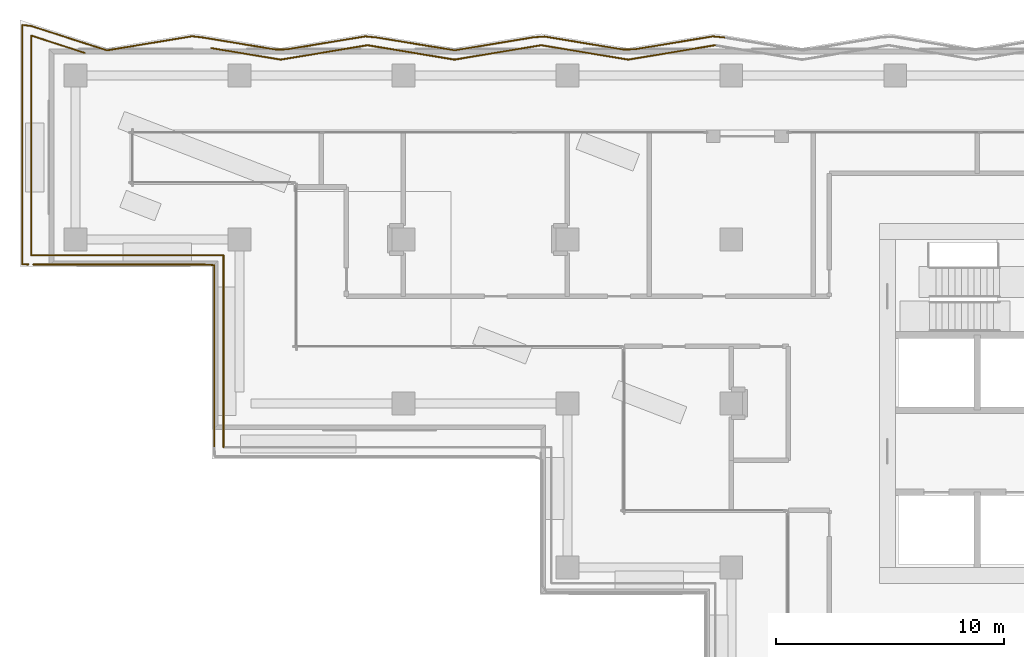
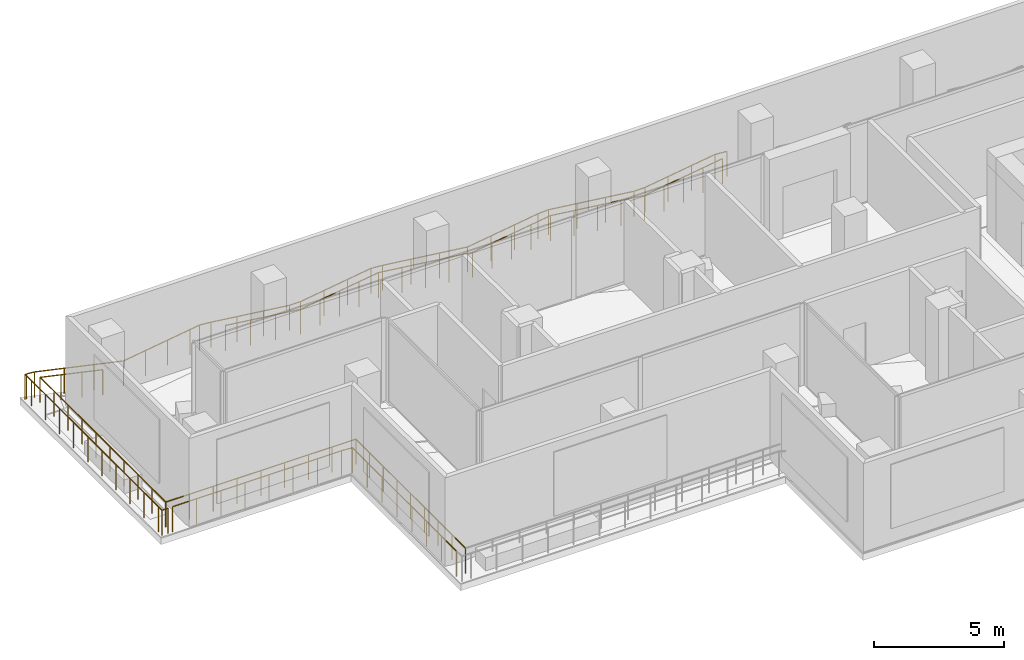
# One storey, part 18 of 23: 33 railings.
"""IFC4 building model written with IfcOpenShell, lengths in metres."""

from ifc_helpers import new_model, si_unit, direction, frame, origin, origin_2d, place, context, subcontext, project, spatial, circle, extrude, material, type_object, element, save


model = new_model("IFC4")

# Units and contexts
model_context = context("Model", 3, precision=1e-05, world=origin(), true_north=direction((0.0, 1.0)))
body_context = subcontext(model_context, "Body", "Model", "MODEL_VIEW")
ifc_project = project(units=[si_unit("LENGTHUNIT", "METRE"), si_unit("AREAUNIT", "SQUARE_METRE"), si_unit("VOLUMEUNIT", "CUBIC_METRE"), si_unit("PLANEANGLEUNIT", "RADIAN"), si_unit("MASSUNIT", "GRAM", prefix="KILO")], contexts=[model_context])

# Site, building, storey
site_placement = place(None, origin())
site = spatial("IfcSite", under=ifc_project, at=site_placement, CompositionType="ELEMENT")
building_placement = place(site_placement, origin())
building = spatial("IfcBuilding", under=site, at=building_placement, Name="Windrow Commons", CompositionType="ELEMENT")
storey_placement = place(building_placement, frame((0.0, 0.0, 122.0)))
storey = spatial("IfcBuildingStorey", under=building, at=storey_placement, Name="L33", CompositionType="ELEMENT", Elevation=122.0)

# Railings
ifc_material = material(Name="Stainless steel S316 balustrade with toughened glass infill", Category="steel")
railing_type = type_object("IfcRailingType", Name="Terrace guard 1200 podium", PredefinedType="BALUSTRADE", material=ifc_material)
railing_1_placement = place(storey_placement, frame((28.1, 55.667, 0.05)))
element("IfcRailing", 1, at=railing_1_placement, inside=storey, type_object=railing_type, Name="Guard TR-L33-1.E16", PredefinedType="BALUSTRADE", context=body_context, shape_type="SweptSolid", body=[
    extrude(circle(Radius=0.025, at=origin_2d()), frame((0.0, 0.0, 1.175), z_axis=(0.0, 1.0, 0.0), x_axis=(-1.0, 0.0, 0.0)), (0.0, 0.0, 1.0), 8.433),
    extrude(circle(Radius=0.02, at=origin_2d()), origin(), (0.0, 0.0, 1.0), 1.15),
    extrude(circle(Radius=0.02, at=origin_2d()), frame((0.0, 1.0541, 0.0)), (0.0, 0.0, 1.0), 1.15),
    extrude(circle(Radius=0.02, at=origin_2d()), frame((0.0, 2.1082, 0.0)), (0.0, 0.0, 1.0), 1.15),
    extrude(circle(Radius=0.02, at=origin_2d()), frame((0.0, 3.1624, 0.0)), (0.0, 0.0, 1.0), 1.15),
    extrude(circle(Radius=0.02, at=origin_2d()), frame((0.0, 4.2165, 0.0)), (0.0, 0.0, 1.0), 1.15),
    extrude(circle(Radius=0.02, at=origin_2d()), frame((0.0, 5.2706, 0.0)), (0.0, 0.0, 1.0), 1.15),
    extrude(circle(Radius=0.02, at=origin_2d()), frame((0.0, 6.3247, 0.0)), (0.0, 0.0, 1.0), 1.15),
    extrude(circle(Radius=0.02, at=origin_2d()), frame((0.0, 7.3789, 0.0)), (0.0, 0.0, 1.0), 1.15),
    extrude(circle(Radius=0.02, at=origin_2d()), frame((0.0, 8.433, 0.0)), (0.0, 0.0, 1.0), 1.15),
])
railing_2_placement = place(storey_placement, frame((28.1, 64.1, 0.05)))
element("IfcRailing", 2, at=railing_2_placement, inside=storey, type_object=railing_type, Name="Guard TR-L33-1.E17", PredefinedType="BALUSTRADE", context=body_context, shape_type="SweptSolid", body=[
    extrude(circle(Radius=0.025, at=origin_2d()), frame((0.0, 0.0, 1.175), z_axis=(-1.0, 0.0, 0.0), x_axis=(0.0, -1.0, 0.0)), (0.0, 0.0, 1.0), 8.433),
    extrude(circle(Radius=0.02, at=origin_2d()), origin(), (0.0, 0.0, 1.0), 1.15),
    extrude(circle(Radius=0.02, at=origin_2d()), frame((-1.0541, 0.0, 0.0)), (0.0, 0.0, 1.0), 1.15),
    extrude(circle(Radius=0.02, at=origin_2d()), frame((-2.1082, 0.0, 0.0)), (0.0, 0.0, 1.0), 1.15),
    extrude(circle(Radius=0.02, at=origin_2d()), frame((-3.1624, 0.0, 0.0)), (0.0, 0.0, 1.0), 1.15),
    extrude(circle(Radius=0.02, at=origin_2d()), frame((-4.2165, 0.0, 0.0)), (0.0, 0.0, 1.0), 1.15),
    extrude(circle(Radius=0.02, at=origin_2d()), frame((-5.2706, 0.0, 0.0)), (0.0, 0.0, 1.0), 1.15),
    extrude(circle(Radius=0.02, at=origin_2d()), frame((-6.3247, 0.0, 0.0)), (0.0, 0.0, 1.0), 1.15),
    extrude(circle(Radius=0.02, at=origin_2d()), frame((-7.3789, 0.0, 0.0)), (0.0, 0.0, 1.0), 1.15),
    extrude(circle(Radius=0.02, at=origin_2d()), frame((-8.433, 0.0, 0.0)), (0.0, 0.0, 1.0), 1.15),
])
railing_3_placement = place(storey_placement, frame((19.667, 64.1, 0.05)))
element("IfcRailing", 3, at=railing_3_placement, inside=storey, type_object=railing_type, Name="Guard TR-L33-1.E18", PredefinedType="BALUSTRADE", context=body_context, shape_type="SweptSolid", body=[
    extrude(circle(Radius=0.025, at=origin_2d()), frame((0.0, 0.0, 1.175), z_axis=(0.0, 1.0, 0.0), x_axis=(-1.0, 0.0, 0.0)), (0.0, 0.0, 1.0), 9.6459),
    extrude(circle(Radius=0.02, at=origin_2d()), origin(), (0.0, 0.0, 1.0), 1.15),
    extrude(circle(Radius=0.02, at=origin_2d()), frame((0.0, 1.0718, 0.0)), (0.0, 0.0, 1.0), 1.15),
    extrude(circle(Radius=0.02, at=origin_2d()), frame((0.0, 2.1435, 0.0)), (0.0, 0.0, 1.0), 1.15),
    extrude(circle(Radius=0.02, at=origin_2d()), frame((0.0, 3.2153, 0.0)), (0.0, 0.0, 1.0), 1.15),
    extrude(circle(Radius=0.02, at=origin_2d()), frame((0.0, 4.2871, 0.0)), (0.0, 0.0, 1.0), 1.15),
    extrude(circle(Radius=0.02, at=origin_2d()), frame((0.0, 5.3588, 0.0)), (0.0, 0.0, 1.0), 1.15),
    extrude(circle(Radius=0.02, at=origin_2d()), frame((0.0, 6.4306, 0.0)), (0.0, 0.0, 1.0), 1.15),
    extrude(circle(Radius=0.02, at=origin_2d()), frame((0.0, 7.5024, 0.0)), (0.0, 0.0, 1.0), 1.15),
    extrude(circle(Radius=0.02, at=origin_2d()), frame((0.0, 8.5741, 0.0)), (0.0, 0.0, 1.0), 1.15),
    extrude(circle(Radius=0.02, at=origin_2d()), frame((0.0, 9.6459, 0.0)), (0.0, 0.0, 1.0), 1.15),
])
railing_4_placement = place(storey_placement, frame((19.667, 73.7459, 0.05)))
element("IfcRailing", 4, at=railing_4_placement, inside=storey, type_object=railing_type, Name="Guard TR-L33-1.E19", PredefinedType="BALUSTRADE", context=body_context, shape_type="SweptSolid", body=[
    extrude(circle(Radius=0.025, at=origin_2d()), frame((0.0, 0.0, 1.175), z_axis=(0.9515331708, -0.3075461345, 0.0), x_axis=(0.3075461345, 0.9515331708, 0.0)), (0.0, 0.0, 1.0), 2.4572),
    extrude(circle(Radius=0.02, at=origin_2d()), origin(), (0.0, 0.0, 1.0), 1.15),
    extrude(circle(Radius=0.02, at=origin_2d()), frame((0.7794, -0.2519, 0.0)), (0.0, 0.0, 1.0), 1.15),
    extrude(circle(Radius=0.02, at=origin_2d()), frame((1.5587, -0.5038, 0.0)), (0.0, 0.0, 1.0), 1.15),
    extrude(circle(Radius=0.02, at=origin_2d()), frame((2.3381, -0.7557, 0.0)), (0.0, 0.0, 1.0), 1.15),
])
railing_5_placement = place(storey_placement, frame((27.5679, 73.1982, 0.05)))
element("IfcRailing", 5, at=railing_5_placement, inside=storey, type_object=railing_type, Name="Guard TR-L33-1.E20", PredefinedType="BALUSTRADE", context=body_context, shape_type="SweptSolid", body=[
    extrude(circle(Radius=0.025, at=origin_2d()), frame((0.0, 0.0, 1.175), z_axis=(0.9865119349, -0.1636893468, 0.0), x_axis=(0.1636893468, 0.9865119349, 0.0)), (0.0, 0.0, 1.0), 3.0851),
    extrude(circle(Radius=0.02, at=origin_2d()), origin(), (0.0, 0.0, 1.0), 1.15),
    extrude(circle(Radius=0.02, at=origin_2d()), frame((1.0145, -0.1683, 0.0)), (0.0, 0.0, 1.0), 1.15),
    extrude(circle(Radius=0.02, at=origin_2d()), frame((2.029, -0.3367, 0.0)), (0.0, 0.0, 1.0), 1.15),
    extrude(circle(Radius=0.02, at=origin_2d()), frame((3.0435, -0.505, 0.0)), (0.0, 0.0, 1.0), 1.15),
])
railing_6_placement = place(storey_placement, frame((30.6114, 72.6932, 0.05)))
element("IfcRailing", 6, at=railing_6_placement, inside=storey, type_object=railing_type, Name="Guard TR-L33-1.E21", PredefinedType="BALUSTRADE", context=body_context, shape_type="SweptSolid", body=[
    extrude(circle(Radius=0.025, at=origin_2d()), frame((0.0, 0.0, 1.175), z_axis=(0.9865103981, 0.1636986085, 0.0), x_axis=(-0.1636986085, 0.9865103981, 0.0)), (0.0, 0.0, 1.0), 3.8669),
    extrude(circle(Radius=0.02, at=origin_2d()), origin(), (0.0, 0.0, 1.0), 1.15),
    extrude(circle(Radius=0.02, at=origin_2d()), frame((0.9537, 0.1582, 0.0)), (0.0, 0.0, 1.0), 1.15),
    extrude(circle(Radius=0.02, at=origin_2d()), frame((1.9073, 0.3165, 0.0)), (0.0, 0.0, 1.0), 1.15),
    extrude(circle(Radius=0.02, at=origin_2d()), frame((2.861, 0.4747, 0.0)), (0.0, 0.0, 1.0), 1.15),
    extrude(circle(Radius=0.02, at=origin_2d()), frame((3.8147, 0.633, 0.0)), (0.0, 0.0, 1.0), 1.15),
])
railing_7_placement = place(storey_placement, frame((34.4261, 73.3262, 0.05)))
element("IfcRailing", 7, at=railing_7_placement, inside=storey, type_object=railing_type, Name="Guard TR-L33-1.E22", PredefinedType="BALUSTRADE", context=body_context, shape_type="SweptSolid", body=[
    extrude(circle(Radius=0.025, at=origin_2d()), frame((0.0, 0.0, 1.175), z_axis=(0.9865110911, -0.1636944324, 0.0), x_axis=(0.1636944324, 0.9865110911, 0.0)), (0.0, 0.0, 1.0), 3.867),
    extrude(circle(Radius=0.02, at=origin_2d()), origin(), (0.0, 0.0, 1.0), 1.15),
    extrude(circle(Radius=0.02, at=origin_2d()), frame((0.9537, -0.1582, 0.0)), (0.0, 0.0, 1.0), 1.15),
    extrude(circle(Radius=0.02, at=origin_2d()), frame((1.9074, -0.3165, 0.0)), (0.0, 0.0, 1.0), 1.15),
    extrude(circle(Radius=0.02, at=origin_2d()), frame((2.8611, -0.4747, 0.0)), (0.0, 0.0, 1.0), 1.15),
    extrude(circle(Radius=0.02, at=origin_2d()), frame((3.8148, -0.633, 0.0)), (0.0, 0.0, 1.0), 1.15),
])
railing_8_placement = place(storey_placement, frame((38.2409, 72.6932, 0.05)))
element("IfcRailing", 8, at=railing_8_placement, inside=storey, type_object=railing_type, Name="Guard TR-L33-1.E23", PredefinedType="BALUSTRADE", context=body_context, shape_type="SweptSolid", body=[
    extrude(circle(Radius=0.025, at=origin_2d()), frame((0.0, 0.0, 1.175), z_axis=(0.9865110911, 0.1636944324, 0.0), x_axis=(-0.1636944324, 0.9865110911, 0.0)), (0.0, 0.0, 1.0), 3.867),
    extrude(circle(Radius=0.02, at=origin_2d()), origin(), (0.0, 0.0, 1.0), 1.15),
    extrude(circle(Radius=0.02, at=origin_2d()), frame((0.9537, 0.1582, 0.0)), (0.0, 0.0, 1.0), 1.15),
    extrude(circle(Radius=0.02, at=origin_2d()), frame((1.9074, 0.3165, 0.0)), (0.0, 0.0, 1.0), 1.15),
    extrude(circle(Radius=0.02, at=origin_2d()), frame((2.8611, 0.4747, 0.0)), (0.0, 0.0, 1.0), 1.15),
    extrude(circle(Radius=0.02, at=origin_2d()), frame((3.8148, 0.633, 0.0)), (0.0, 0.0, 1.0), 1.15),
])
railing_9_placement = place(storey_placement, frame((42.0557, 73.3262, 0.05)))
element("IfcRailing", 9, at=railing_9_placement, inside=storey, type_object=railing_type, Name="Guard TR-L33-1.E24", PredefinedType="BALUSTRADE", context=body_context, shape_type="SweptSolid", body=[
    extrude(circle(Radius=0.025, at=origin_2d()), frame((0.0, 0.0, 1.175), z_axis=(0.9865110911, -0.1636944324, 0.0), x_axis=(0.1636944324, 0.9865110911, 0.0)), (0.0, 0.0, 1.0), 3.867),
    extrude(circle(Radius=0.02, at=origin_2d()), origin(), (0.0, 0.0, 1.0), 1.15),
    extrude(circle(Radius=0.02, at=origin_2d()), frame((0.9537, -0.1582, 0.0)), (0.0, 0.0, 1.0), 1.15),
    extrude(circle(Radius=0.02, at=origin_2d()), frame((1.9074, -0.3165, 0.0)), (0.0, 0.0, 1.0), 1.15),
    extrude(circle(Radius=0.02, at=origin_2d()), frame((2.8611, -0.4747, 0.0)), (0.0, 0.0, 1.0), 1.15),
    extrude(circle(Radius=0.02, at=origin_2d()), frame((3.8148, -0.633, 0.0)), (0.0, 0.0, 1.0), 1.15),
])
railing_10_placement = place(storey_placement, frame((45.8705, 72.6932, 0.05)))
element("IfcRailing", 10, at=railing_10_placement, inside=storey, type_object=railing_type, Name="Guard TR-L33-1.E25", PredefinedType="BALUSTRADE", context=body_context, shape_type="SweptSolid", body=[
    extrude(circle(Radius=0.025, at=origin_2d()), frame((0.0, 0.0, 1.175), z_axis=(0.9865110911, 0.1636944324, 0.0), x_axis=(-0.1636944324, 0.9865110911, 0.0)), (0.0, 0.0, 1.0), 3.867),
    extrude(circle(Radius=0.02, at=origin_2d()), origin(), (0.0, 0.0, 1.0), 1.15),
    extrude(circle(Radius=0.02, at=origin_2d()), frame((0.9537, 0.1582, 0.0)), (0.0, 0.0, 1.0), 1.15),
    extrude(circle(Radius=0.02, at=origin_2d()), frame((1.9074, 0.3165, 0.0)), (0.0, 0.0, 1.0), 1.15),
    extrude(circle(Radius=0.02, at=origin_2d()), frame((2.8611, 0.4747, 0.0)), (0.0, 0.0, 1.0), 1.15),
    extrude(circle(Radius=0.02, at=origin_2d()), frame((3.8148, 0.633, 0.0)), (0.0, 0.0, 1.0), 1.15),
])
railing_11_placement = place(storey_placement, frame((26.2439, 73.6399, 0.05)))
element("IfcRailing", 11, at=railing_11_placement, inside=storey, type_object=railing_type, Name="Guard TR-L33-1.C47", PredefinedType="BALUSTRADE", context=body_context, shape_type="SweptSolid", body=[
    extrude(circle(Radius=0.025, at=origin_2d()), frame((0.0, 0.0, 1.175), z_axis=(0.9864943505, 0.1637952884, 0.0), x_axis=(-0.1637952884, 0.9864943505, 0.0)), (0.0, 0.0, 1.0), 0.4835),
    extrude(circle(Radius=0.02, at=origin_2d()), origin(), (0.0, 0.0, 1.0), 1.15),
    extrude(circle(Radius=0.02, at=origin_2d()), frame((0.477, 0.0792, 0.0)), (0.0, 0.0, 1.0), 1.15),
])
railing_12_placement = place(storey_placement, frame((26.7209, 73.7191, 0.05)))
element("IfcRailing", 12, at=railing_12_placement, inside=storey, type_object=railing_type, Name="Guard TR-L33-1.C48", PredefinedType="BALUSTRADE", context=body_context, shape_type="SweptSolid", body=[
    extrude(circle(Radius=0.025, at=origin_2d()), frame((0.0, 0.0, 1.175), z_axis=(0.9936296634, -0.1126946851, 0.0), x_axis=(0.1126946851, 0.9936296634, 0.0)), (0.0, 0.0, 1.0), 0.4801),
    extrude(circle(Radius=0.02, at=origin_2d()), origin(), (0.0, 0.0, 1.0), 1.15),
    extrude(circle(Radius=0.02, at=origin_2d()), frame((0.477, -0.0541, 0.0)), (0.0, 0.0, 1.0), 1.15),
])
railing_13_placement = place(storey_placement, frame((19.267, 73.7299, 0.05)))
element("IfcRailing", 13, at=railing_13_placement, inside=storey, type_object=railing_type, Name="Guard TR-L33-1.C49", PredefinedType="BALUSTRADE", context=body_context, shape_type="SweptSolid", body=[
    extrude(circle(Radius=0.025, at=origin_2d()), frame((0.0, 0.0, 1.175), z_axis=(0.0, 1.0, 0.0), x_axis=(-1.0, 0.0, 0.0)), (0.0, 0.0, 1.0), 0.4878),
    extrude(circle(Radius=0.02, at=origin_2d()), origin(), (0.0, 0.0, 1.0), 1.15),
    extrude(circle(Radius=0.02, at=origin_2d()), frame((0.0, 0.4878, 0.0)), (0.0, 0.0, 1.0), 1.15),
])
railing_14_placement = place(storey_placement, frame((19.327, 74.2103, 0.05)))
element("IfcRailing", 14, at=railing_14_placement, inside=storey, type_object=railing_type, Name="Guard TR-L33-1.C50", PredefinedType="BALUSTRADE", context=body_context, shape_type="SweptSolid", body=[
    extrude(circle(Radius=0.025, at=origin_2d()), frame((0.0, 0.0, 1.175), z_axis=(0.992443546, -0.1227021111, 0.0), x_axis=(0.1227021111, 0.992443546, 0.0)), (0.0, 0.0, 1.0), 0.3325),
    extrude(circle(Radius=0.02, at=origin_2d()), origin(), (0.0, 0.0, 1.0), 1.15),
    extrude(circle(Radius=0.02, at=origin_2d()), frame((0.33, -0.0408, 0.0)), (0.0, 0.0, 1.0), 1.15),
])
railing_15_placement = place(storey_placement, frame((19.54, 63.7, 0.05)))
element("IfcRailing", 15, at=railing_15_placement, inside=storey, type_object=railing_type, Name="Guard TR-L33-1.C51", PredefinedType="BALUSTRADE", context=body_context, shape_type="SweptSolid", body=[
    extrude(circle(Radius=0.025, at=origin_2d()), frame((0.0, 0.0, 1.175), z_axis=(-0.9999704155, 0.0076920801, 0.0), x_axis=(-0.0076920801, -0.9999704155, 0.0)), (0.0, 0.0, 1.0), 0.273),
    extrude(circle(Radius=0.02, at=origin_2d()), origin(), (0.0, 0.0, 1.0), 1.15),
    extrude(circle(Radius=0.02, at=origin_2d()), frame((-0.273, 0.0021, 0.0)), (0.0, 0.0, 1.0), 1.15),
])
railing_16_placement = place(storey_placement, frame((19.267, 63.7021, 0.05)))
element("IfcRailing", 16, at=railing_16_placement, inside=storey, type_object=railing_type, Name="Guard TR-L33-1.C52", PredefinedType="BALUSTRADE", context=body_context, shape_type="SweptSolid", body=[
    extrude(circle(Radius=0.025, at=origin_2d()), frame((0.0, 0.0, 1.175), z_axis=(0.0, 1.0, 0.0), x_axis=(-1.0, 0.0, 0.0)), (0.0, 0.0, 1.0), 0.2751),
    extrude(circle(Radius=0.02, at=origin_2d()), origin(), (0.0, 0.0, 1.0), 1.15),
    extrude(circle(Radius=0.02, at=origin_2d()), frame((0.0, 0.2751, 0.0)), (0.0, 0.0, 1.0), 1.15),
])
railing_17_placement = place(storey_placement, frame((27.7, 55.6803, 0.05)))
element("IfcRailing", 17, at=railing_17_placement, inside=storey, type_object=railing_type, Name="Guard TR-L33-1.C86", PredefinedType="BALUSTRADE", context=body_context, shape_type="SweptSolid", body=[
    extrude(circle(Radius=0.025, at=origin_2d()), frame((0.0, 0.0, 1.175), z_axis=(0.0, 1.0, 0.0), x_axis=(-1.0, 0.0, 0.0)), (0.0, 0.0, 1.0), 7.9895),
    extrude(circle(Radius=0.02, at=origin_2d()), origin(), (0.0, 0.0, 1.0), 1.15),
    extrude(circle(Radius=0.02, at=origin_2d()), frame((0.0, 1.1414, 0.0)), (0.0, 0.0, 1.0), 1.15),
    extrude(circle(Radius=0.02, at=origin_2d()), frame((0.0, 2.2827, 0.0)), (0.0, 0.0, 1.0), 1.15),
    extrude(circle(Radius=0.02, at=origin_2d()), frame((0.0, 3.4241, 0.0)), (0.0, 0.0, 1.0), 1.15),
    extrude(circle(Radius=0.02, at=origin_2d()), frame((0.0, 4.5654, 0.0)), (0.0, 0.0, 1.0), 1.15),
    extrude(circle(Radius=0.02, at=origin_2d()), frame((0.0, 5.7068, 0.0)), (0.0, 0.0, 1.0), 1.15),
    extrude(circle(Radius=0.02, at=origin_2d()), frame((0.0, 6.8481, 0.0)), (0.0, 0.0, 1.0), 1.15),
    extrude(circle(Radius=0.02, at=origin_2d()), frame((0.0, 7.9895, 0.0)), (0.0, 0.0, 1.0), 1.15),
])
railing_18_placement = place(storey_placement, frame((27.7, 63.6698, 0.05)))
element("IfcRailing", 18, at=railing_18_placement, inside=storey, type_object=railing_type, Name="Guard TR-L33-1.C87", PredefinedType="BALUSTRADE", context=body_context, shape_type="SweptSolid", body=[
    extrude(circle(Radius=0.025, at=origin_2d()), frame((0.0, 0.0, 1.175), z_axis=(-0.9979341176, 0.0642455987, 0.0), x_axis=(-0.0642455987, -0.9979341176, 0.0)), (0.0, 0.0, 1.0), 0.4701),
    extrude(circle(Radius=0.02, at=origin_2d()), origin(), (0.0, 0.0, 1.0), 1.15),
    extrude(circle(Radius=0.02, at=origin_2d()), frame((-0.4691, 0.0302, 0.0)), (0.0, 0.0, 1.0), 1.15),
])
railing_19_placement = place(storey_placement, frame((27.2309, 63.7, 0.05)))
element("IfcRailing", 19, at=railing_19_placement, inside=storey, type_object=railing_type, Name="Guard TR-L33-1.C88", PredefinedType="BALUSTRADE", context=body_context, shape_type="SweptSolid", body=[
    extrude(circle(Radius=0.025, at=origin_2d()), frame((0.0, 0.0, 1.175), z_axis=(-1.0, 0.0, 0.0), x_axis=(0.0, -1.0, 0.0)), (0.0, 0.0, 1.0), 7.4902),
    extrude(circle(Radius=0.02, at=origin_2d()), origin(), (0.0, 0.0, 1.0), 1.15),
    extrude(circle(Radius=0.02, at=origin_2d()), frame((-1.07, 0.0, 0.0)), (0.0, 0.0, 1.0), 1.15),
    extrude(circle(Radius=0.02, at=origin_2d()), frame((-2.1401, 0.0, 0.0)), (0.0, 0.0, 1.0), 1.15),
    extrude(circle(Radius=0.02, at=origin_2d()), frame((-3.2101, 0.0, 0.0)), (0.0, 0.0, 1.0), 1.15),
    extrude(circle(Radius=0.02, at=origin_2d()), frame((-4.2801, 0.0, 0.0)), (0.0, 0.0, 1.0), 1.15),
    extrude(circle(Radius=0.02, at=origin_2d()), frame((-5.3501, 0.0, 0.0)), (0.0, 0.0, 1.0), 1.15),
    extrude(circle(Radius=0.02, at=origin_2d()), frame((-6.4202, 0.0, 0.0)), (0.0, 0.0, 1.0), 1.15),
    extrude(circle(Radius=0.02, at=origin_2d()), frame((-7.4902, 0.0, 0.0)), (0.0, 0.0, 1.0), 1.15),
])
railing_20_placement = place(storey_placement, frame((19.267, 63.9772, 0.05)))
element("IfcRailing", 20, at=railing_20_placement, inside=storey, type_object=railing_type, Name="Guard TR-L33-1.C89", PredefinedType="BALUSTRADE", context=body_context, shape_type="SweptSolid", body=[
    extrude(circle(Radius=0.025, at=origin_2d()), frame((0.0, 0.0, 1.175), z_axis=(0.0, 1.0, 0.0), x_axis=(-1.0, 0.0, 0.0)), (0.0, 0.0, 1.0), 9.7527),
    extrude(circle(Radius=0.02, at=origin_2d()), origin(), (0.0, 0.0, 1.0), 1.15),
    extrude(circle(Radius=0.02, at=origin_2d()), frame((0.0, 1.0836, 0.0)), (0.0, 0.0, 1.0), 1.15),
    extrude(circle(Radius=0.02, at=origin_2d()), frame((0.0, 2.1673, 0.0)), (0.0, 0.0, 1.0), 1.15),
    extrude(circle(Radius=0.02, at=origin_2d()), frame((0.0, 3.2509, 0.0)), (0.0, 0.0, 1.0), 1.15),
    extrude(circle(Radius=0.02, at=origin_2d()), frame((0.0, 4.3345, 0.0)), (0.0, 0.0, 1.0), 1.15),
    extrude(circle(Radius=0.02, at=origin_2d()), frame((0.0, 5.4182, 0.0)), (0.0, 0.0, 1.0), 1.15),
    extrude(circle(Radius=0.02, at=origin_2d()), frame((0.0, 6.5018, 0.0)), (0.0, 0.0, 1.0), 1.15),
    extrude(circle(Radius=0.02, at=origin_2d()), frame((0.0, 7.5854, 0.0)), (0.0, 0.0, 1.0), 1.15),
    extrude(circle(Radius=0.02, at=origin_2d()), frame((0.0, 8.6691, 0.0)), (0.0, 0.0, 1.0), 1.15),
    extrude(circle(Radius=0.02, at=origin_2d()), frame((0.0, 9.7527, 0.0)), (0.0, 0.0, 1.0), 1.15),
])
railing_21_placement = place(storey_placement, frame((19.6624, 74.1678, 0.05)))
element("IfcRailing", 21, at=railing_21_placement, inside=storey, type_object=railing_type, Name="Guard TR-L33-1.C90", PredefinedType="BALUSTRADE", context=body_context, shape_type="SweptSolid", body=[
    extrude(circle(Radius=0.025, at=origin_2d()), frame((0.0, 0.0, 1.175), z_axis=(0.9521312512, -0.3056895164, 0.0), x_axis=(0.3056895164, 0.9521312512, 0.0)), (0.0, 0.0, 1.0), 3.4937),
    extrude(circle(Radius=0.02, at=origin_2d()), origin(), (0.0, 0.0, 1.0), 1.15),
    extrude(circle(Radius=0.02, at=origin_2d()), frame((1.1088, -0.356, 0.0)), (0.0, 0.0, 1.0), 1.15),
    extrude(circle(Radius=0.02, at=origin_2d()), frame((2.2177, -0.712, 0.0)), (0.0, 0.0, 1.0), 1.15),
    extrude(circle(Radius=0.02, at=origin_2d()), frame((3.3265, -1.068, 0.0)), (0.0, 0.0, 1.0), 1.15),
])
railing_22_placement = place(storey_placement, frame((22.9889, 73.0998, 0.05)))
element("IfcRailing", 22, at=railing_22_placement, inside=storey, type_object=railing_type, Name="Guard TR-L33-1.C91", PredefinedType="BALUSTRADE", context=body_context, shape_type="SweptSolid", body=[
    extrude(circle(Radius=0.025, at=origin_2d()), frame((0.0, 0.0, 1.175), z_axis=(0.9865116238, 0.1636912221, 0.0), x_axis=(-0.1636912221, 0.9865116238, 0.0)), (0.0, 0.0, 1.0), 3.2995),
    extrude(circle(Radius=0.02, at=origin_2d()), origin(), (0.0, 0.0, 1.0), 1.15),
    extrude(circle(Radius=0.02, at=origin_2d()), frame((1.085, 0.18, 0.0)), (0.0, 0.0, 1.0), 1.15),
    extrude(circle(Radius=0.02, at=origin_2d()), frame((2.17, 0.3601, 0.0)), (0.0, 0.0, 1.0), 1.15),
    extrude(circle(Radius=0.02, at=origin_2d()), frame((3.255, 0.5401, 0.0)), (0.0, 0.0, 1.0), 1.15),
])
railing_23_placement = place(storey_placement, frame((27.1979, 73.665, 0.05)))
element("IfcRailing", 23, at=railing_23_placement, inside=storey, type_object=railing_type, Name="Guard TR-L33-1.C92", PredefinedType="BALUSTRADE", context=body_context, shape_type="SweptSolid", body=[
    extrude(circle(Radius=0.025, at=origin_2d()), frame((0.0, 0.0, 1.175), z_axis=(0.9865152249, -0.1636695175, 0.0), x_axis=(0.1636695175, 0.9865152249, 0.0)), (0.0, 0.0, 1.0), 3.2236),
    extrude(circle(Radius=0.02, at=origin_2d()), origin(), (0.0, 0.0, 1.0), 1.15),
    extrude(circle(Radius=0.02, at=origin_2d()), frame((1.06, -0.1759, 0.0)), (0.0, 0.0, 1.0), 1.15),
    extrude(circle(Radius=0.02, at=origin_2d()), frame((2.1201, -0.3517, 0.0)), (0.0, 0.0, 1.0), 1.15),
    extrude(circle(Radius=0.02, at=origin_2d()), frame((3.1801, -0.5276, 0.0)), (0.0, 0.0, 1.0), 1.15),
])
railing_24_placement = place(storey_placement, frame((30.378, 73.1374, 0.05)))
element("IfcRailing", 24, at=railing_24_placement, inside=storey, type_object=railing_type, Name="Guard TR-L33-1.C93", PredefinedType="BALUSTRADE", context=body_context, shape_type="SweptSolid", body=[
    extrude(circle(Radius=0.025, at=origin_2d()), frame((0.0, 0.0, 1.175), z_axis=(0.9999619028, 0.0087288595, 0.0), x_axis=(-0.0087288595, 0.9999619028, 0.0)), (0.0, 0.0, 1.0), 0.4926),
    extrude(circle(Radius=0.02, at=origin_2d()), origin(), (0.0, 0.0, 1.0), 1.15),
    extrude(circle(Radius=0.02, at=origin_2d()), frame((0.4926, 0.0043, 0.0)), (0.0, 0.0, 1.0), 1.15),
])
railing_25_placement = place(storey_placement, frame((30.8706, 73.1417, 0.05)))
element("IfcRailing", 25, at=railing_25_placement, inside=storey, type_object=railing_type, Name="Guard TR-L33-1.C94", PredefinedType="BALUSTRADE", context=body_context, shape_type="SweptSolid", body=[
    extrude(circle(Radius=0.025, at=origin_2d()), frame((0.0, 0.0, 1.175), z_axis=(0.9865150487, 0.1636705795, 0.0), x_axis=(-0.1636705795, 0.9865150487, 0.0)), (0.0, 0.0, 1.0), 3.4954),
    extrude(circle(Radius=0.02, at=origin_2d()), origin(), (0.0, 0.0, 1.0), 1.15),
    extrude(circle(Radius=0.02, at=origin_2d()), frame((1.1494, 0.1907, 0.0)), (0.0, 0.0, 1.0), 1.15),
    extrude(circle(Radius=0.02, at=origin_2d()), frame((2.2989, 0.3814, 0.0)), (0.0, 0.0, 1.0), 1.15),
    extrude(circle(Radius=0.02, at=origin_2d()), frame((3.4483, 0.5721, 0.0)), (0.0, 0.0, 1.0), 1.15),
])
railing_26_placement = place(storey_placement, frame((34.3189, 73.7138, 0.05)))
element("IfcRailing", 26, at=railing_26_placement, inside=storey, type_object=railing_type, Name="Guard TR-L33-1.C95", PredefinedType="BALUSTRADE", context=body_context, shape_type="SweptSolid", body=[
    extrude(circle(Radius=0.025, at=origin_2d()), frame((0.0, 0.0, 1.175), z_axis=(0.9956494746, -0.0931779147, 0.0), x_axis=(0.0931779147, 0.9956494746, 0.0)), (0.0, 0.0, 1.0), 0.4948),
    extrude(circle(Radius=0.02, at=origin_2d()), origin(), (0.0, 0.0, 1.0), 1.15),
    extrude(circle(Radius=0.02, at=origin_2d()), frame((0.4926, -0.0461, 0.0)), (0.0, 0.0, 1.0), 1.15),
])
railing_27_placement = place(storey_placement, frame((34.8115, 73.6677, 0.05)))
element("IfcRailing", 27, at=railing_27_placement, inside=storey, type_object=railing_type, Name="Guard TR-L33-1.C96", PredefinedType="BALUSTRADE", context=body_context, shape_type="SweptSolid", body=[
    extrude(circle(Radius=0.025, at=origin_2d()), frame((0.0, 0.0, 1.175), z_axis=(0.9868000148, -0.1619436036, 0.0), x_axis=(0.1619436036, 0.9868000148, 0.0)), (0.0, 0.0, 1.0), 3.4944),
    extrude(circle(Radius=0.02, at=origin_2d()), origin(), (0.0, 0.0, 1.0), 1.15),
    extrude(circle(Radius=0.02, at=origin_2d()), frame((1.1494, -0.1886, 0.0)), (0.0, 0.0, 1.0), 1.15),
    extrude(circle(Radius=0.02, at=origin_2d()), frame((2.2989, -0.3773, 0.0)), (0.0, 0.0, 1.0), 1.15),
    extrude(circle(Radius=0.02, at=origin_2d()), frame((3.4483, -0.5659, 0.0)), (0.0, 0.0, 1.0), 1.15),
])
railing_28_placement = place(storey_placement, frame((38.2598, 73.1018, 0.05)))
element("IfcRailing", 28, at=railing_28_placement, inside=storey, type_object=railing_type, Name="Guard TR-L33-1.C97", PredefinedType="BALUSTRADE", context=body_context, shape_type="SweptSolid", body=[
    extrude(circle(Radius=0.025, at=origin_2d()), frame((0.0, 0.0, 1.175), z_axis=(0.9865142823, 0.1636751989, 0.0), x_axis=(-0.1636751989, 0.9865142823, 0.0)), (0.0, 0.0, 1.0), 3.4953),
    extrude(circle(Radius=0.02, at=origin_2d()), origin(), (0.0, 0.0, 1.0), 1.15),
    extrude(circle(Radius=0.02, at=origin_2d()), frame((1.1494, 0.1907, 0.0)), (0.0, 0.0, 1.0), 1.15),
    extrude(circle(Radius=0.02, at=origin_2d()), frame((2.2988, 0.3814, 0.0)), (0.0, 0.0, 1.0), 1.15),
    extrude(circle(Radius=0.02, at=origin_2d()), frame((3.4482, 0.5721, 0.0)), (0.0, 0.0, 1.0), 1.15),
])
railing_29_placement = place(storey_placement, frame((41.708, 73.6739, 0.05)))
element("IfcRailing", 29, at=railing_29_placement, inside=storey, type_object=railing_type, Name="Guard TR-L33-1.C98", PredefinedType="BALUSTRADE", context=body_context, shape_type="SweptSolid", body=[
    extrude(circle(Radius=0.025, at=origin_2d()), frame((0.0, 0.0, 1.175), z_axis=(0.997668047, 0.0682529703, 0.0), x_axis=(-0.0682529703, 0.997668047, 0.0)), (0.0, 0.0, 1.0), 0.4938),
    extrude(circle(Radius=0.02, at=origin_2d()), origin(), (0.0, 0.0, 1.0), 1.15),
    extrude(circle(Radius=0.02, at=origin_2d()), frame((0.4926, 0.0337, 0.0)), (0.0, 0.0, 1.0), 1.15),
])
railing_30_placement = place(storey_placement, frame((42.2006, 73.7076, 0.05)))
element("IfcRailing", 30, at=railing_30_placement, inside=storey, type_object=railing_type, Name="Guard TR-L33-1.C99", PredefinedType="BALUSTRADE", context=body_context, shape_type="SweptSolid", body=[
    extrude(circle(Radius=0.025, at=origin_2d()), frame((0.0, 0.0, 1.175), z_axis=(0.9865104291, -0.1636984217, 0.0), x_axis=(0.1636984217, 0.9865104291, 0.0)), (0.0, 0.0, 1.0), 3.4955),
    extrude(circle(Radius=0.02, at=origin_2d()), origin(), (0.0, 0.0, 1.0), 1.15),
    extrude(circle(Radius=0.02, at=origin_2d()), frame((1.1494, -0.1907, 0.0)), (0.0, 0.0, 1.0), 1.15),
    extrude(circle(Radius=0.02, at=origin_2d()), frame((2.2989, -0.3815, 0.0)), (0.0, 0.0, 1.0), 1.15),
    extrude(circle(Radius=0.02, at=origin_2d()), frame((3.4483, -0.5722, 0.0)), (0.0, 0.0, 1.0), 1.15),
])
railing_31_placement = place(storey_placement, frame((45.6489, 73.1354, 0.05)))
element("IfcRailing", 31, at=railing_31_placement, inside=storey, type_object=railing_type, Name="Guard TR-L33-1.C100", PredefinedType="BALUSTRADE", context=body_context, shape_type="SweptSolid", body=[
    extrude(circle(Radius=0.025, at=origin_2d()), frame((0.0, 0.0, 1.175), z_axis=(0.999861478, 0.0166440603, 0.0), x_axis=(-0.0166440603, 0.999861478, 0.0)), (0.0, 0.0, 1.0), 0.4927),
    extrude(circle(Radius=0.02, at=origin_2d()), origin(), (0.0, 0.0, 1.0), 1.15),
    extrude(circle(Radius=0.02, at=origin_2d()), frame((0.4926, 0.0082, 0.0)), (0.0, 0.0, 1.0), 1.15),
])
railing_32_placement = place(storey_placement, frame((46.1415, 73.1436, 0.05)))
element("IfcRailing", 32, at=railing_32_placement, inside=storey, type_object=railing_type, Name="Guard TR-L33-1.C101", PredefinedType="BALUSTRADE", context=body_context, shape_type="SweptSolid", body=[
    extrude(circle(Radius=0.025, at=origin_2d()), frame((0.0, 0.0, 1.175), z_axis=(0.9865096624, 0.1637030418, 0.0), x_axis=(-0.1637030418, 0.9865096624, 0.0)), (0.0, 0.0, 1.0), 3.4954),
    extrude(circle(Radius=0.02, at=origin_2d()), origin(), (0.0, 0.0, 1.0), 1.15),
    extrude(circle(Radius=0.02, at=origin_2d()), frame((1.1494, 0.1907, 0.0)), (0.0, 0.0, 1.0), 1.15),
    extrude(circle(Radius=0.02, at=origin_2d()), frame((2.2988, 0.3815, 0.0)), (0.0, 0.0, 1.0), 1.15),
    extrude(circle(Radius=0.02, at=origin_2d()), frame((3.4482, 0.5722, 0.0)), (0.0, 0.0, 1.0), 1.15),
])
railing_33_placement = place(storey_placement, frame((49.5897, 73.7158, 0.05)))
element("IfcRailing", 33, at=railing_33_placement, inside=storey, type_object=railing_type, Name="Guard TR-L33-1.C102", PredefinedType="BALUSTRADE", context=body_context, shape_type="SweptSolid", body=[
    extrude(circle(Radius=0.025, at=origin_2d()), frame((0.0, 0.0, 1.175), z_axis=(0.9948881143, -0.1009833652, 0.0), x_axis=(0.1009833652, 0.9948881143, 0.0)), (0.0, 0.0, 1.0), 0.4951),
    extrude(circle(Radius=0.02, at=origin_2d()), origin(), (0.0, 0.0, 1.0), 1.15),
    extrude(circle(Radius=0.02, at=origin_2d()), frame((0.4926, -0.05, 0.0)), (0.0, 0.0, 1.0), 1.15),
])

save(model, "model.ifc")
